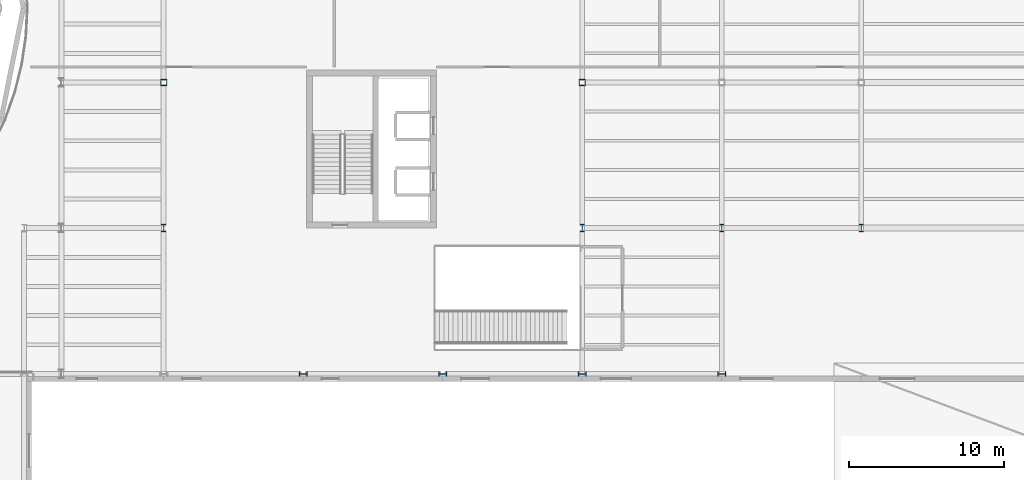
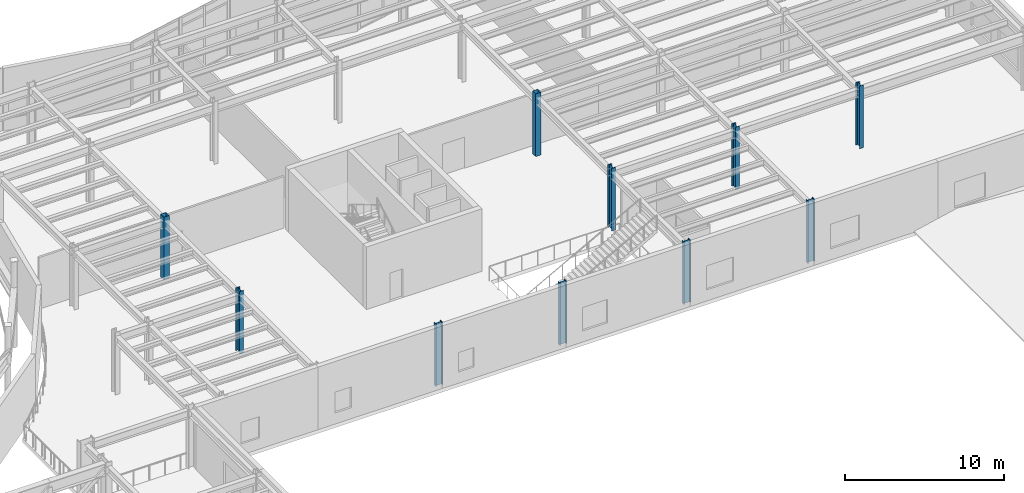
# One storey, part 11 of 91: 10 columns.
"""IFC4 building model written with IfcOpenShell, lengths in metres."""

from ifc_helpers import new_model, si_unit, direction, frame, origin, origin_2d, place, context, subcontext, project, spatial, hollow_rectangle, i_section, extrude, material, material_profile, profile_set, type_object, element, save


model = new_model("IFC4")

# Units and contexts
model_context = context("Model", 3, precision=1e-05, world=origin(), true_north=direction((0.0, 1.0)))
body_context = subcontext(model_context, "Body", "Model", "MODEL_VIEW")
ifc_project = project(units=[si_unit("LENGTHUNIT", "METRE"), si_unit("AREAUNIT", "SQUARE_METRE"), si_unit("VOLUMEUNIT", "CUBIC_METRE"), si_unit("PLANEANGLEUNIT", "RADIAN"), si_unit("MASSUNIT", "GRAM", prefix="KILO")], contexts=[model_context])

# Site, building, storey
site_placement = place(None, origin())
site = spatial("IfcSite", under=ifc_project, at=site_placement, CompositionType="ELEMENT")
building_placement = place(site_placement, origin())
building = spatial("IfcBuilding", under=site, at=building_placement, Name="Sollismere Congress Hotel", CompositionType="ELEMENT")
storey_placement = place(building_placement, frame((0.0, 0.0, 10.800048828125)))
storey = spatial("IfcBuildingStorey", under=building, at=storey_placement, Name="L02", CompositionType="ELEMENT", Elevation=10.800048828125)

# Columns
ifc_material_1 = material(Name="Steel ASTM A500 Grade C", Category="steel")
ifc_material_profile_1 = material_profile(ifc_material_1, hollow_rectangle(XDim=0.39990234375, YDim=0.39990234375, WallThickness=0.01611328125, at=origin_2d()), Name="HSS400X400X16")
ifc_profile_set_1 = profile_set([ifc_material_profile_1], Name="Steel ASTM A500 Grade C")
column_type_1 = type_object("IfcColumnType", Name="COL-HSS400I", PredefinedType="COLUMN", material=ifc_profile_set_1)
for number, where, z_axis, x_axis, name in (
    (1, (67.0, 85.60009765625, 0.0), (0.0, 0.0, 1.0), (1.0, 0.0, 0.0), "Column CL-L02-329"),
    (2, (94.0, 85.60009765625, 0.0), (0.0, 0.0, 1.0), (1.0, 0.0, 0.0), "Column CL-L02-498"),
):
    element("IfcColumn", number, at=place(storey_placement, frame(where, z_axis=z_axis, x_axis=x_axis)), inside=storey, type_object=column_type_1, Name=name, PredefinedType="COLUMN", context=body_context, shape_type="SweptSolid", body=[
        extrude(hollow_rectangle(XDim=0.39990234375, YDim=0.39990234375, WallThickness=0.01611328125, at=origin_2d()), origin(), (0.0, 0.0, 1.0), 4.800048828125),
    ])
ifc_material_2 = material(Name="Steel ASTM A992 Grade 50", Category="steel")
ifc_material_profile_2 = material_profile(ifc_material_2, i_section(OverallWidth=0.283935546875, OverallDepth=0.4951171875, WebThickness=0.0185546875, FlangeThickness=0.033447265625, at=origin_2d()), Name="W18X143")
ifc_profile_set_2 = profile_set([ifc_material_profile_2], Name="Steel ASTM A992 Grade 50")
column_type_2 = type_object("IfcColumnType", Name="COL-W18", PredefinedType="COLUMN", material=ifc_profile_set_2)
for number, where, z_axis, x_axis, name in (
    (3, (67.0, 76.199951171875, 0.0), (0.0, 0.0, 1.0), (1.0, 0.0, 0.0), "Column CL-L02-323"),
    (4, (76.0, 66.800048828125, 0.0), (0.0, 0.0, 1.0), (0.0, 1.0, 0.0), "Column CL-L02-381"),
    (5, (85.0, 66.800048828125, 0.0), (0.0, 0.0, 1.0), (0.0, 1.0, 0.0), "Column CL-L02-440"),
    (6, (94.0, 66.800048828125, 0.0), (0.0, 0.0, 1.0), (0.0, 1.0, 0.0), "Column CL-L02-486"),
    (7, (94.0, 76.199951171875, 0.0), (0.0, 0.0, 1.0), (1.0, 0.0, 0.0), "Column CL-L02-492"),
    (8, (103.0, 66.800048828125, 0.0), (0.0, 0.0, 1.0), (0.0, 1.0, 0.0), "Column CL-L02-544"),
    (9, (103.0, 76.199951171875, 0.0), (0.0, 0.0, 1.0), (1.0, 0.0, 0.0), "Column CL-L02-550"),
    (10, (112.0, 76.199951171875, 0.0), (0.0, 0.0, 1.0), (1.0, 0.0, 0.0), "Column CL-L02-628"),
):
    element("IfcColumn", number, at=place(storey_placement, frame(where, z_axis=z_axis, x_axis=x_axis)), inside=storey, type_object=column_type_2, Name=name, PredefinedType="COLUMN", context=body_context, shape_type="SweptSolid", body=[
        extrude(i_section(OverallWidth=0.283935546875, OverallDepth=0.4951171875, WebThickness=0.0185546875, FlangeThickness=0.033447265625, at=origin_2d()), origin(), (0.0, 0.0, 1.0), 4.800048828125),
    ])

save(model, "model.ifc")
